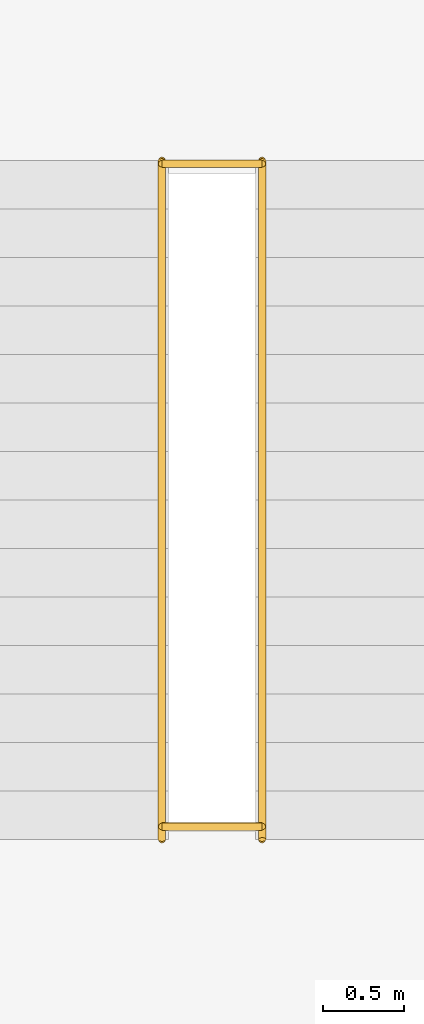
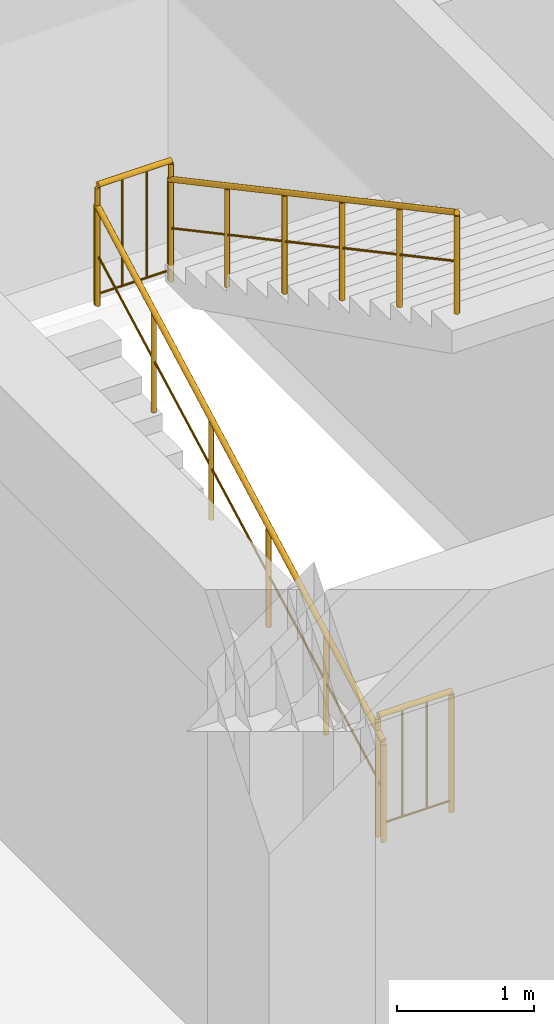
# One storey, part 23 of 26: 4 railings.
"""IFC4 building model written with IfcOpenShell, lengths in metres."""

from ifc_helpers import new_model, si_unit, direction, frame, origin, origin_2d, place, context, subcontext, project, spatial, circle, extrude, material, layer, layer_set, type_object, element, save


model = new_model("IFC4")

# Units and contexts
model_context = context("Model", 3, precision=1e-05, world=origin(), true_north=direction((0.0, 1.0)))
body_context = subcontext(model_context, "Body", "Model", "MODEL_VIEW")
ifc_project = project(units=[si_unit("LENGTHUNIT", "METRE"), si_unit("AREAUNIT", "SQUARE_METRE"), si_unit("VOLUMEUNIT", "CUBIC_METRE"), si_unit("PLANEANGLEUNIT", "RADIAN"), si_unit("MASSUNIT", "GRAM", prefix="KILO")], contexts=[model_context])

# Site, building, storey
site_placement = place(None, origin())
site = spatial("IfcSite", under=ifc_project, at=site_placement, CompositionType="ELEMENT")
building_placement = place(site_placement, origin())
building = spatial("IfcBuilding", under=site, at=building_placement, Name="Zaverband Oceanarium and Marine Research Institute", CompositionType="ELEMENT")
storey_placement = place(building_placement, frame((0.0, 0.0, -4.5)))
storey = spatial("IfcBuildingStorey", under=building, at=storey_placement, Name="B1", CompositionType="ELEMENT", Elevation=-4.5)

# Railings
ifc_material = material(Name="Steel S355", Category="steel")
ifc_layer_1 = layer(ifc_material, 0.06005859375, Name="Steel S355")
ifc_layer_set_1 = layer_set([ifc_layer_1], Name="Steel S355")
railing_type_1 = type_object("IfcRailingType", Name="GRD-1100", PredefinedType="BALUSTRADE", material=ifc_layer_set_1)
for number, where, name in (
    (1, (137.18994140625, 30.6298828125, 2.25), "1100 mm steel post-and-baluster safety guard GRD-1100"),
    (2, (137.18994140625, 26.530029296875, 0.0), "1100 mm steel post-and-baluster safety guard GRD-1100"),
):
    element("IfcRailing", number, at=place(storey_placement, frame(where)), inside=storey, type_object=railing_type_1, Name=name, PredefinedType="BALUSTRADE", context=body_context, shape_type="SweptSolid", body=[
        extrude(circle(Radius=0.02392578125, at=origin_2d()), frame((0.0, 0.0, 1.076171875), z_axis=(1.0, 0.0, 0.0), x_axis=(0.0, 1.0, 0.0)), (0.0, 0.0, 1.0), 0.6201171875),
        extrude(circle(Radius=0.009033203125, at=origin_2d()), frame((0.0, 0.0, 0.10009765625), z_axis=(1.0, 0.0, 0.0), x_axis=(0.0, 1.0, 0.0)), (0.0, 0.0, 1.0), 0.6201171875),
        extrude(circle(Radius=0.009033203125, at=origin_2d()), frame((0.206787109375, 0.0, 0.10009765625)), (0.0, 0.0, 1.0), 0.951904296875),
        extrude(circle(Radius=0.009033203125, at=origin_2d()), frame((0.413330078125, 0.0, 0.10009765625)), (0.0, 0.0, 1.0), 0.951904296875),
        extrude(circle(Radius=0.02099609375, at=origin_2d()), origin(), (0.0, 0.0, 1.0), 1.052001953125),
        extrude(circle(Radius=0.02099609375, at=origin_2d()), frame((0.6201171875, 0.0, 0.0)), (0.0, 0.0, 1.0), 1.052001953125),
    ])
ifc_layer_2 = layer(ifc_material, 0.050048828125, Name="Steel S355")
ifc_layer_set_2 = layer_set([ifc_layer_2], Name="Steel S355")
railing_type_2 = type_object("IfcRailingType", Name="HR-920", PredefinedType="HANDRAIL", material=ifc_layer_set_2)
railing_1_placement = place(storey_placement, frame((137.18994140625, 26.449951171875, 0.0)))
element("IfcRailing", 3, at=railing_1_placement, inside=storey, type_object=railing_type_2, Name="920 mm continuous tubular stair and ramp handrail HR-920", PredefinedType="HANDRAIL", context=body_context, shape_type="SweptSolid", body=[
    extrude(circle(Radius=0.02392578125, at=origin_2d()), frame((0.0, 0.0, 0.89599609375), z_axis=(0.0, 0.881477684796, 0.472225678258), x_axis=(-1.0, 0.0, 0.0)), (0.0, 0.0, 1.0), 4.7646484375),
    extrude(circle(Radius=0.009033203125, at=origin_2d()), frame((0.0, 0.0, 0.4599609375), z_axis=(0.0, 0.881477684796, 0.472225678258), x_axis=(-1.0, 0.0, 0.0)), (0.0, 0.0, 1.0), 4.7646484375),
    extrude(circle(Radius=0.02099609375, at=origin_2d()), origin(), (0.0, 0.0, 1.0), 0.871826171875),
    extrude(circle(Radius=0.02099609375, at=origin_2d()), frame((0.0, 0.840087890625, 0.449951171875)), (0.0, 0.0, 1.0), 0.871826171875),
    extrude(circle(Radius=0.02099609375, at=origin_2d()), frame((0.0, 1.679931640625, 0.89990234375)), (0.0, 0.0, 1.0), 0.871826171875),
    extrude(circle(Radius=0.02099609375, at=origin_2d()), frame((0.0, 2.52001953125, 1.35009765625)), (0.0, 0.0, 1.0), 0.871826171875),
    extrude(circle(Radius=0.02099609375, at=origin_2d()), frame((0.0, 3.35986328125, 1.800048828125)), (0.0, 0.0, 1.0), 0.871826171875),
    extrude(circle(Radius=0.02099609375, at=origin_2d()), frame((0.0, 4.199951171875, 2.25)), (0.0, 0.0, 1.0), 0.871826171875),
])
railing_2_placement = place(storey_placement, frame((137.81005859375, 30.64990234375, 2.25)))
element("IfcRailing", 4, at=railing_2_placement, inside=storey, type_object=railing_type_2, Name="920 mm continuous tubular stair and ramp handrail HR-920", PredefinedType="HANDRAIL", context=body_context, shape_type="SweptSolid", body=[
    extrude(circle(Radius=0.02392578125, at=origin_2d()), frame((0.0, 0.0, 0.89599609375), z_axis=(0.0, -0.881477684796, 0.472225678258), x_axis=(1.0, 0.0, 0.0)), (0.0, 0.0, 1.0), 4.7646484375),
    extrude(circle(Radius=0.009033203125, at=origin_2d()), frame((0.0, 0.0, 0.4599609375), z_axis=(0.0, -0.881477684796, 0.472225678258), x_axis=(1.0, 0.0, 0.0)), (0.0, 0.0, 1.0), 4.7646484375),
    extrude(circle(Radius=0.02099609375, at=origin_2d()), origin(), (0.0, 0.0, 1.0), 0.871826171875),
    extrude(circle(Radius=0.02099609375, at=origin_2d()), frame((0.0, -0.840087890625, 0.449951171875)), (0.0, 0.0, 1.0), 0.871826171875),
    extrude(circle(Radius=0.02099609375, at=origin_2d()), frame((0.0, -1.679931640625, 0.89990234375)), (0.0, 0.0, 1.0), 0.871826171875),
    extrude(circle(Radius=0.02099609375, at=origin_2d()), frame((0.0, -2.52001953125, 1.35009765625)), (0.0, 0.0, 1.0), 0.871826171875),
    extrude(circle(Radius=0.02099609375, at=origin_2d()), frame((0.0, -3.35986328125, 1.800048828125)), (0.0, 0.0, 1.0), 0.871826171875),
    extrude(circle(Radius=0.02099609375, at=origin_2d()), frame((0.0, -4.199951171875, 2.25)), (0.0, 0.0, 1.0), 0.871826171875),
])

save(model, "model.ifc")
